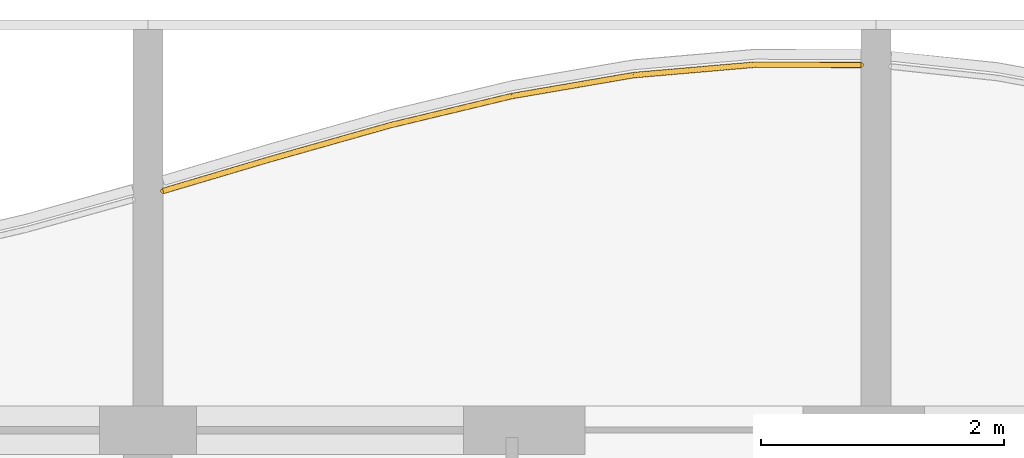
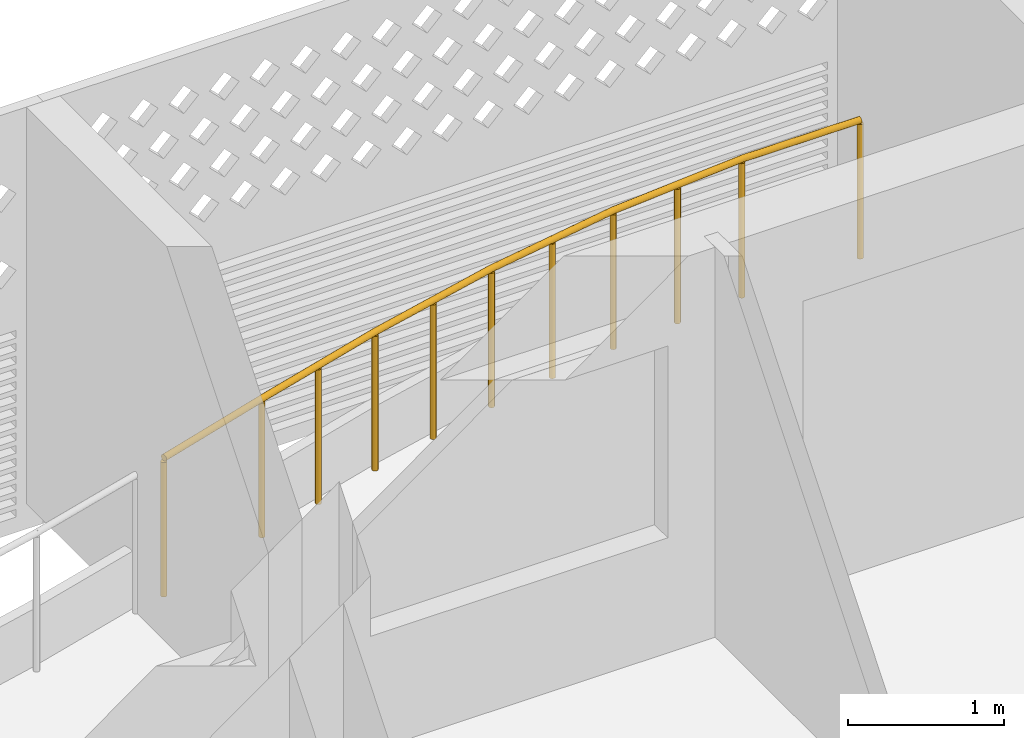
# One storey, part 35 of 40: 1 railing.
"""IFC4 building model written with IfcOpenShell, lengths in metres."""

from ifc_helpers import new_model, si_unit, direction, frame, origin, origin_2d, place, context, subcontext, project, spatial, circle, extrude, material, type_object, element, save


model = new_model("IFC4")

# Units and contexts
model_context = context("Model", 3, precision=1e-05, world=origin(), true_north=direction((0.0, 1.0)))
body_context = subcontext(model_context, "Body", "Model", "MODEL_VIEW")
ifc_project = project(units=[si_unit("LENGTHUNIT", "METRE"), si_unit("AREAUNIT", "SQUARE_METRE"), si_unit("VOLUMEUNIT", "CUBIC_METRE"), si_unit("PLANEANGLEUNIT", "RADIAN"), si_unit("MASSUNIT", "GRAM", prefix="KILO")], contexts=[model_context])

# Site, building, storey
site_placement = place(None, origin())
site = spatial("IfcSite", under=ifc_project, at=site_placement, CompositionType="ELEMENT")
building_placement = place(site_placement, origin())
building = spatial("IfcBuilding", under=site, at=building_placement, Name="Poui Terraces", CompositionType="ELEMENT")
storey_placement = place(building_placement, frame((0.0, 0.0, 39.89990234375)))
storey = spatial("IfcBuildingStorey", under=building, at=storey_placement, Name="L10", CompositionType="ELEMENT", Elevation=39.89990234375)

# Railing
ifc_material = material(Name="Painted steel fretwork", Category="steel")
railing_type = type_object("IfcRailingType", Name="BALCONY GUARD 1100", PredefinedType="GUARDRAIL", material=ifc_material)
railing_placement = place(storey_placement, frame((78.125, 46.771240234375, 0.0)))
element("IfcRailing", 1, at=railing_placement, inside=storey, type_object=railing_type, Name="BALCONY GUARD", PredefinedType="GUARDRAIL", context=body_context, shape_type="SweptSolid", body=[
    extrude(circle(Radius=0.02392578125, at=origin_2d()), frame((0.0, 0.0, 1.076171875), z_axis=(0.958646866278, 0.284598288426, 0.0), x_axis=(-0.284598288426, 0.958646866278, 0.0)), (0.0, 0.0, 1.0), 0.912841796875),
    extrude(circle(Radius=0.02392578125, at=origin_2d()), frame((0.875, 0.259765625, 1.076171875), z_axis=(0.962282666556, 0.272051593719, 0.0), x_axis=(-0.272051593719, 0.962282666556, 0.0)), (0.0, 0.0, 1.0), 1.039306640625),
    extrude(circle(Radius=0.02392578125, at=origin_2d()), frame((1.875, 0.54248046875, 1.076171875), z_axis=(0.972443304839, 0.233139483729, 0.0), x_axis=(-0.233139483729, 0.972443304839, 0.0)), (0.0, 0.0, 1.0), 1.0283203125),
    extrude(circle(Radius=0.02392578125, at=origin_2d()), frame((2.875, 0.7822265625, 1.076171875), z_axis=(0.98554889076, 0.169391215599, 0.0), x_axis=(-0.169391215599, 0.98554889076, 0.0)), (0.0, 0.0, 1.0), 1.0146484375),
    extrude(circle(Radius=0.02392578125, at=origin_2d()), frame((3.875, 0.9541015625, 1.076171875), z_axis=(0.996286084847, 0.086104803231, 0.0), x_axis=(-0.086104803231, 0.996286084847, 0.0)), (0.0, 0.0, 1.0), 1.003662109375),
    extrude(circle(Radius=0.02392578125, at=origin_2d()), frame((4.875, 1.04052734375, 1.076171875), z_axis=(0.999997508778, -0.002232137296, 0.0), x_axis=(0.002232137296, 0.999997508778, 0.0)), (0.0, 0.0, 1.0), 0.875),
    extrude(circle(Radius=0.02099609375, at=origin_2d()), origin(), (0.0, 0.0, 1.0), 1.052001953125),
    extrude(circle(Radius=0.02099609375, at=origin_2d()), frame((0.875, 0.259765625, 0.0)), (0.0, 0.0, 1.0), 1.052001953125),
    extrude(circle(Radius=0.02099609375, at=origin_2d()), frame((1.375, 0.401123046875, 0.0)), (0.0, 0.0, 1.0), 1.052001953125),
    extrude(circle(Radius=0.02099609375, at=origin_2d()), frame((1.875, 0.54248046875, 0.0)), (0.0, 0.0, 1.0), 1.052001953125),
    extrude(circle(Radius=0.02099609375, at=origin_2d()), frame((2.375, 0.662353515625, 0.0)), (0.0, 0.0, 1.0), 1.052001953125),
    extrude(circle(Radius=0.02099609375, at=origin_2d()), frame((2.875, 0.7822265625, 0.0)), (0.0, 0.0, 1.0), 1.052001953125),
    extrude(circle(Radius=0.02099609375, at=origin_2d()), frame((3.375, 0.8681640625, 0.0)), (0.0, 0.0, 1.0), 1.052001953125),
    extrude(circle(Radius=0.02099609375, at=origin_2d()), frame((3.875, 0.9541015625, 0.0)), (0.0, 0.0, 1.0), 1.052001953125),
    extrude(circle(Radius=0.02099609375, at=origin_2d()), frame((4.375, 0.997314453125, 0.0)), (0.0, 0.0, 1.0), 1.052001953125),
    extrude(circle(Radius=0.02099609375, at=origin_2d()), frame((4.875, 1.04052734375, 0.0)), (0.0, 0.0, 1.0), 1.052001953125),
    extrude(circle(Radius=0.02099609375, at=origin_2d()), frame((5.75, 1.03857421875, 0.0)), (0.0, 0.0, 1.0), 1.052001953125),
])

save(model, "model.ifc")
